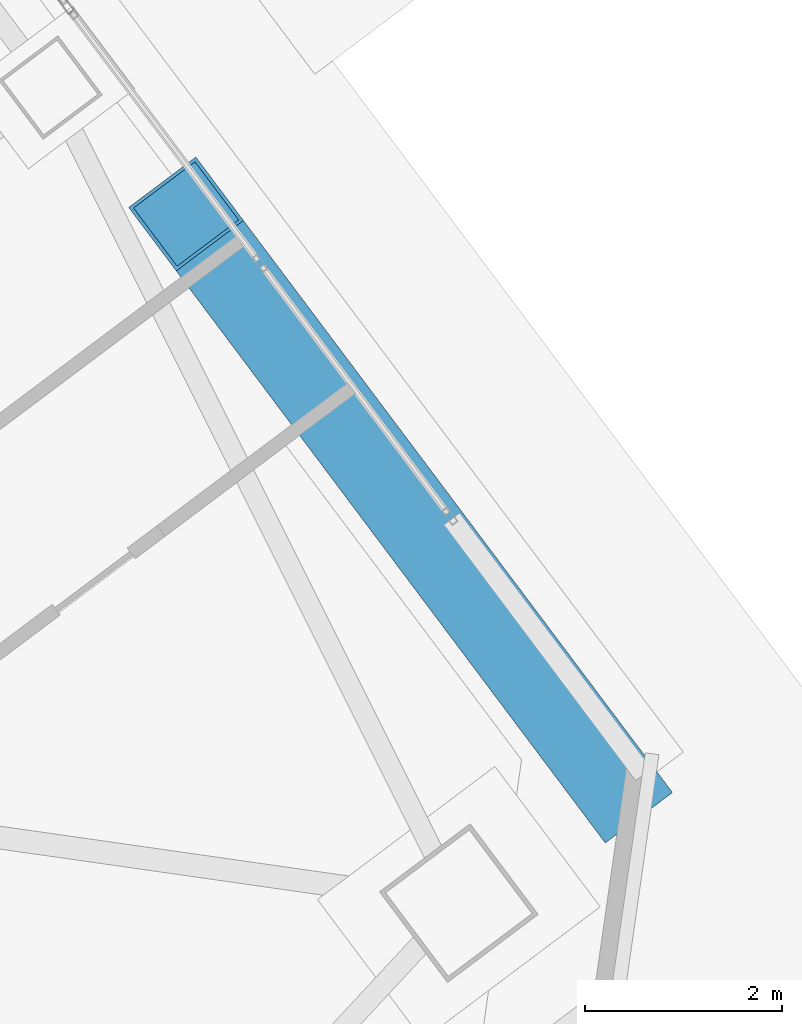
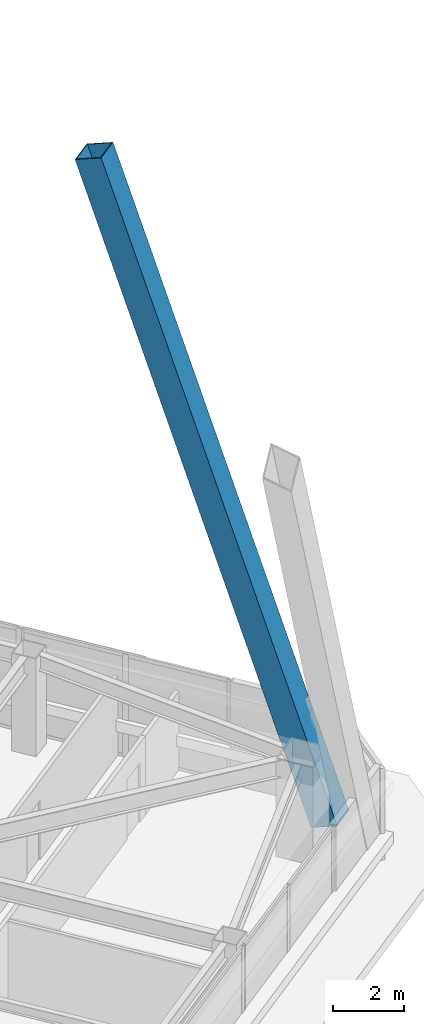
# One storey, part 43 of 65: 1 member.
"""IFC4 building model written with IfcOpenShell, lengths in metres."""

from ifc_helpers import new_model, si_unit, direction, frame, origin, origin_2d, place, context, subcontext, project, spatial, hollow_rectangle, extrude, material, material_profile, profile_set, type_object, element, save


model = new_model("IFC4")

# Units and contexts
model_context = context("Model", 3, precision=1e-05, world=origin(), true_north=direction((0.0, 1.0)))
body_context = subcontext(model_context, "Body", "Model", "MODEL_VIEW")
ifc_project = project(units=[si_unit("LENGTHUNIT", "METRE"), si_unit("AREAUNIT", "SQUARE_METRE"), si_unit("VOLUMEUNIT", "CUBIC_METRE"), si_unit("PLANEANGLEUNIT", "RADIAN"), si_unit("MASSUNIT", "GRAM", prefix="KILO")], contexts=[model_context])

# Site, building, storey
site_placement = place(None, origin())
site = spatial("IfcSite", under=ifc_project, at=site_placement, CompositionType="ELEMENT")
building_placement = place(site_placement, origin())
building = spatial("IfcBuilding", under=site, at=building_placement, Name="Tashvorn Skyway Center", CompositionType="ELEMENT")
storey_placement = place(building_placement, frame((0.0, 0.0, 157.0)))
storey = spatial("IfcBuildingStorey", under=building, at=storey_placement, Name="L42", CompositionType="ELEMENT", Elevation=157.0)

# Member
ifc_material = material(Name="Steel ASTM A572 Grade 50", Category="steel")
ifc_material_profile = material_profile(ifc_material, hollow_rectangle(XDim=0.85009765625, YDim=0.85009765625, WallThickness=0.034912109375, at=origin_2d()), Name="BOX850x850x35")
ifc_profile_set = profile_set([ifc_material_profile], Name="Steel ASTM A572 Grade 50")
member_type = type_object("IfcMemberType", Name="MEM-MB-850", PredefinedType="BRACE", material=ifc_profile_set)
member_placement = place(storey_placement, frame((135.884033203125, 30.2880859375, -0.199951171875), z_axis=(-0.195391019815, 0.260506738507, 0.945493833173), x_axis=(-0.799983835699, -0.600021551797, 0.0)))
element("IfcMember", 1, at=member_placement, inside=storey, type_object=member_type, Name="Tower 2 Zone 4 E Chevron Mega-Brace L1", PredefinedType="BRACE", context=body_context, shape_type="SweptSolid", body=[
    extrude(hollow_rectangle(XDim=0.85009765625, YDim=0.85009765625, WallThickness=0.034912109375, at=origin_2d()), origin(), (0.0, 0.0, 1.0), 22.263427734375),
])

save(model, "model.ifc")
